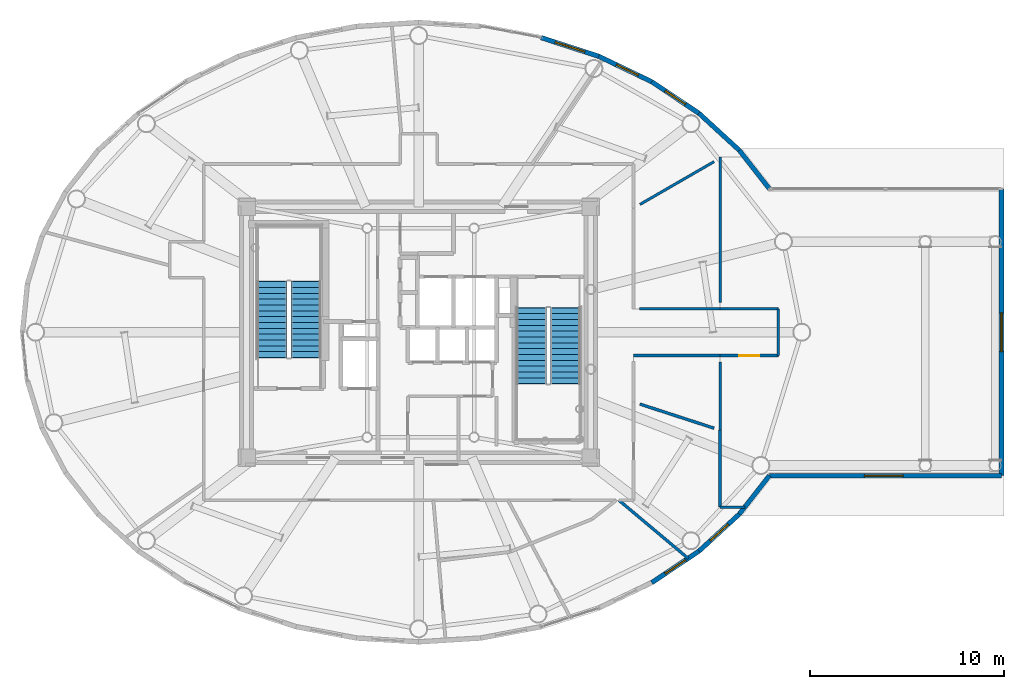
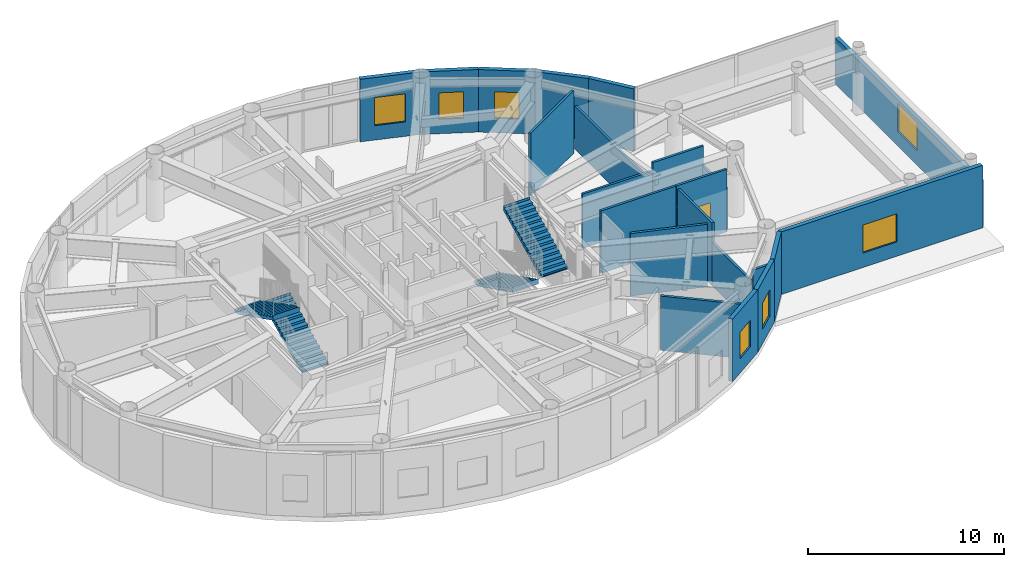
# One storey, part 19 of 26: 22 walls, 7 windows, 4 stair flights, 1 door, 8 openings, 2 elements without a shape of their own.
"""IFC4 building model written with IfcOpenShell, lengths in metres."""

from ifc_helpers import new_model, si_unit, direction, frame, frame_2d, origin, origin_2d, place, context, subcontext, project, spatial, polyline, rectangle, outline, extrude, source, transform, mapped, material, layer, layer_set, type_object, element, fill, aggregate, save


model = new_model("IFC4")

# Units and contexts
model_context = context("Model", 3, precision=1e-05, world=origin(), true_north=direction((0.0, 1.0)))
body_context = subcontext(model_context, "Body", "Model", "MODEL_VIEW")
ifc_project = project(units=[si_unit("LENGTHUNIT", "METRE"), si_unit("AREAUNIT", "SQUARE_METRE"), si_unit("VOLUMEUNIT", "CUBIC_METRE"), si_unit("PLANEANGLEUNIT", "RADIAN"), si_unit("MASSUNIT", "GRAM", prefix="KILO")], contexts=[model_context])

# Site, building, storey
site_placement = place(None, origin())
site = spatial("IfcSite", under=ifc_project, at=site_placement, CompositionType="ELEMENT")
building_placement = place(site_placement, origin())
building = spatial("IfcBuilding", under=site, at=building_placement, Name="Linh Dai School and Residence Tower", CompositionType="ELEMENT")
storey_placement = place(building_placement, frame((0.0, 0.0, 346.800048828125)))
storey = spatial("IfcBuildingStorey", under=building, at=storey_placement, Name="L86", CompositionType="ELEMENT", Elevation=346.800048828125)

# Wall, opening, window
ifc_material_1 = material(Name="Precast Concrete B45 (C35/45)", Category="concrete")
ifc_layer_1 = layer(ifc_material_1, 0.239990234375)
ifc_layer_set_1 = layer_set([ifc_layer_1], Name="Precast Concrete B45 (C35/45)")
wall_type_1 = type_object("IfcWallType", Name="EW-TC-240", PredefinedType="SOLIDWALL", material=ifc_layer_set_1)
wall_1_placement = place(storey_placement, frame((65.97509765625, 19.625, 0.0), z_axis=(0.0, 0.0, 1.0), x_axis=(-1.0, 0.0, 0.0)))
wall_1 = element("IfcWall", 1, at=wall_1_placement, inside=storey, type_object=wall_type_1, Name="L86 Terracotta Exterior Wall 01", PredefinedType="SOLIDWALL", context=body_context, shape_type="SweptSolid", body=[
    extrude(rectangle(XDim=11.93505859375, YDim=0.239990234375, at=frame_2d((5.967529296875, 0.0))), origin(), (0.0, 0.0, 1.0), 3.89990234375),
])
opening_1_placement = place(wall_1_placement, frame((5.06005859375, 0.0, 0.89990234375)))
opening_1 = element("IfcOpeningElement", 2, at=opening_1_placement, cuts=wall_1, Name="Opening W1", PredefinedType="OPENING", context=body_context, shape_type="SweptSolid", body=[
    extrude(rectangle(XDim=2.0, YDim=1.75, at=origin_2d()), frame((1.0, 0.1298828125, 0.875), z_axis=(0.0, -1.0, 0.0), x_axis=(1.0, 0.0, 0.0)), (0.0, 0.0, 1.0), 0.260009765625),
])
ifc_material_2 = material(Name="Double Low-E Insulated Glazing", Category="glass")
window_type_1 = type_object("IfcWindowType", Name="WN-RES-2000x1750", PartitioningType="DOUBLE_PANEL_VERTICAL", PredefinedType="WINDOW", material=ifc_material_2)
shared_shape_1 = source(origin(), body_context, "Body", "SweptSolid", [
    extrude(rectangle(XDim=2.0, YDim=1.75, at=origin_2d()), frame((1.0, 0.030029296875, 0.875), z_axis=(0.0, -1.0, 0.0), x_axis=(1.0, 0.0, 0.0)), (0.0, 0.0, 1.0), 0.06005859375),
])
window_1_placement = place(opening_1_placement, origin())
window_1 = element("IfcWindow", 3, at=window_1_placement, inside=storey, type_object=window_type_1, Name="L86 Exterior Window 01.1", OverallHeight=1.75, OverallWidth=2.0, PartitioningType="DOUBLE_PANEL_VERTICAL", PredefinedType="WINDOW", context=body_context, shape_type="MappedRepresentation", body=[
    mapped(shared_shape_1, transform((0.0, 0.0, 0.0), x_axis=(1.0, 0.0, 0.0), y_axis=(0.0, 1.0, 0.0), z_axis=(0.0, 0.0, 1.0), scale=1.0)),
])
fill(opening_1, window_1)

wall_2_placement = place(storey_placement, frame((65.97509765625, 34.375, 0.0), z_axis=(0.0, 0.0, 1.0), x_axis=(0.0, -1.0, 0.0)))
wall_2 = element("IfcWall", 4, at=wall_2_placement, inside=storey, type_object=wall_type_1, Name="L86 Terracotta Exterior Wall 02", PredefinedType="SOLIDWALL", context=body_context, shape_type="SweptSolid", body=[
    extrude(rectangle(XDim=14.75, YDim=0.239990234375, at=frame_2d((7.375, 0.0))), origin(), (0.0, 0.0, 1.0), 2.885009765625),
])
opening_2_placement = place(wall_2_placement, frame((6.375, 0.0, 0.89990234375)))
opening_2 = element("IfcOpeningElement", 5, at=opening_2_placement, cuts=wall_2, Name="Opening W1", PredefinedType="OPENING", context=body_context, shape_type="SweptSolid", body=[
    extrude(rectangle(XDim=2.0, YDim=1.75, at=origin_2d()), frame((1.0, 0.1298828125, 0.875), z_axis=(0.0, -1.0, 0.0), x_axis=(1.0, 0.0, 0.0)), (0.0, 0.0, 1.0), 0.260009765625),
])
window_2_placement = place(opening_2_placement, origin())
window_2 = element("IfcWindow", 6, at=window_2_placement, inside=storey, type_object=window_type_1, Name="L86 Exterior Window 02.1", OverallHeight=1.75, OverallWidth=2.0, PartitioningType="DOUBLE_PANEL_VERTICAL", PredefinedType="WINDOW", context=body_context, shape_type="MappedRepresentation", body=[
    mapped(shared_shape_1, transform((0.0, 0.0, 0.0), x_axis=(1.0, 0.0, 0.0), y_axis=(0.0, 1.0, 0.0), z_axis=(0.0, 0.0, 1.0), scale=1.0)),
])
fill(opening_2, window_2)

# Walls
wall_3_placement = place(storey_placement, frame((52.4931640625, 36.351806640625, 0.0), z_axis=(0.0, 0.0, 1.0), x_axis=(0.616261054153, -0.78754194373, 0.0)))
element("IfcWall", 7, at=wall_3_placement, inside=storey, type_object=wall_type_1, Name="L86 Terracotta Exterior Wall 04", PredefinedType="SOLIDWALL", context=body_context, shape_type="SweptSolid", body=[
    extrude(rectangle(XDim=2.510009765625, YDim=0.239990234375, at=frame_2d((1.2548828125, 0.0))), origin(), (0.0, 0.0, 1.0), 3.89990234375),
])
wall_4_placement = place(storey_placement, frame((50.418701171875, 38.254150390625, 0.0), z_axis=(0.0, 0.0, 1.0), x_axis=(0.737020907932, -0.675869944051, 0.0)))
element("IfcWall", 8, at=wall_4_placement, inside=storey, type_object=wall_type_1, Name="L86 Terracotta Exterior Wall 05", PredefinedType="SOLIDWALL", context=body_context, shape_type="SweptSolid", body=[
    extrude(rectangle(XDim=2.814697265625, YDim=0.239990234375, at=frame_2d((1.4072265625, 0.0))), origin(), (0.0, 0.0, 1.0), 3.89990234375),
])

# Wall, opening, window
wall_5_placement = place(storey_placement, frame((47.98779296875, 39.880126953125, 0.0), z_axis=(0.0, 0.0, 1.0), x_axis=(0.831201688654, -0.555970999944, 0.0)))
wall_5 = element("IfcWall", 9, at=wall_5_placement, inside=storey, type_object=wall_type_1, Name="L86 Terracotta Exterior Wall 06", PredefinedType="SOLIDWALL", context=body_context, shape_type="SweptSolid", body=[
    extrude(rectangle(XDim=2.924560546875, YDim=0.239990234375, at=frame_2d((1.46240234375, 0.0))), origin(), (0.0, 0.0, 1.0), 3.89990234375),
])
opening_3_placement = place(wall_5_placement, frame((0.837158203125, 0.0, 0.89990234375)))
opening_3 = element("IfcOpeningElement", 10, at=opening_3_placement, cuts=wall_5, Name="Opening W3", PredefinedType="OPENING", context=body_context, shape_type="SweptSolid", body=[
    extrude(rectangle(XDim=1.25, YDim=1.64990234375, at=origin_2d()), frame((0.625, 0.1298828125, 0.824951171875), z_axis=(0.0, -1.0, 0.0), x_axis=(1.0, 0.0, 0.0)), (0.0, 0.0, 1.0), 0.260009765625),
])
window_type_2 = type_object("IfcWindowType", Name="WN-RES-1250x1650", PartitioningType="SINGLE_PANEL", PredefinedType="WINDOW", material=ifc_material_2)
shared_shape_2 = source(origin(), body_context, "Body", "SweptSolid", [
    extrude(rectangle(XDim=1.25, YDim=1.64990234375, at=origin_2d()), frame((0.625, 0.030029296875, 0.824951171875), z_axis=(0.0, -1.0, 0.0), x_axis=(1.0, 0.0, 0.0)), (0.0, 0.0, 1.0), 0.06005859375),
])
window_3_placement = place(opening_3_placement, origin())
window_3 = element("IfcWindow", 11, at=window_3_placement, inside=storey, type_object=window_type_2, Name="L86 Exterior Window 06.1", OverallHeight=1.64990234375, OverallWidth=1.25, PartitioningType="SINGLE_PANEL", PredefinedType="WINDOW", context=body_context, shape_type="MappedRepresentation", body=[
    mapped(shared_shape_2, transform((0.0, 0.0, 0.0), x_axis=(1.0, 0.0, 0.0), y_axis=(0.0, 1.0, 0.0), z_axis=(0.0, 0.0, 1.0), scale=1.0)),
])
fill(opening_3, window_3)

wall_6_placement = place(storey_placement, frame((45.260498046875, 41.18896484375, 0.0), z_axis=(0.0, 0.0, 1.0), x_axis=(0.901557057889, -0.432660226241, 0.0)))
wall_6 = element("IfcWall", 12, at=wall_6_placement, inside=storey, type_object=wall_type_1, Name="L86 Terracotta Exterior Wall 07", PredefinedType="SOLIDWALL", context=body_context, shape_type="SweptSolid", body=[
    extrude(rectangle(XDim=3.025146484375, YDim=0.239990234375, at=frame_2d((1.5126953125, 0.0))), origin(), (0.0, 0.0, 1.0), 3.89990234375),
])
opening_4_placement = place(wall_6_placement, frame((1.00390625, 0.0, 0.89990234375)))
opening_4 = element("IfcOpeningElement", 13, at=opening_4_placement, cuts=wall_6, Name="Opening W3", PredefinedType="OPENING", context=body_context, shape_type="SweptSolid", body=[
    extrude(rectangle(XDim=1.25, YDim=1.64990234375, at=origin_2d()), frame((0.625, 0.1298828125, 0.824951171875), z_axis=(0.0, -1.0, 0.0), x_axis=(1.0, 0.0, 0.0)), (0.0, 0.0, 1.0), 0.260009765625),
])
window_4_placement = place(opening_4_placement, origin())
window_4 = element("IfcWindow", 14, at=window_4_placement, inside=storey, type_object=window_type_2, Name="L86 Exterior Window 07.1", OverallHeight=1.64990234375, OverallWidth=1.25, PartitioningType="SINGLE_PANEL", PredefinedType="WINDOW", context=body_context, shape_type="MappedRepresentation", body=[
    mapped(shared_shape_2, transform((0.0, 0.0, 0.0), x_axis=(1.0, 0.0, 0.0), y_axis=(0.0, 1.0, 0.0), z_axis=(0.0, 0.0, 1.0), scale=1.0)),
])
fill(opening_4, window_4)

wall_7_placement = place(storey_placement, frame((42.303955078125, 42.14794921875, 0.0), z_axis=(0.0, 0.0, 1.0), x_axis=(0.951212850731, -0.308535431682, 0.0)))
wall_7 = element("IfcWall", 15, at=wall_7_placement, inside=storey, type_object=wall_type_1, Name="L86 Terracotta Exterior Wall 08", PredefinedType="SOLIDWALL", context=body_context, shape_type="SweptSolid", body=[
    extrude(rectangle(XDim=3.108154296875, YDim=0.239990234375, at=frame_2d((1.55419921875, 0.0))), origin(), (0.0, 0.0, 1.0), 3.89990234375),
])
opening_5_placement = place(wall_7_placement, frame((0.75390625, 0.0, 0.89990234375)))
opening_5 = element("IfcOpeningElement", 16, at=opening_5_placement, cuts=wall_7, Name="Opening W2", PredefinedType="OPENING", context=body_context, shape_type="SweptSolid", body=[
    extrude(rectangle(XDim=1.60009765625, YDim=1.75, at=origin_2d()), frame((0.800048828125, 0.1298828125, 0.875), z_axis=(0.0, -1.0, 0.0), x_axis=(1.0, 0.0, 0.0)), (0.0, 0.0, 1.0), 0.260009765625),
])
window_type_3 = type_object("IfcWindowType", Name="WN-RES-1600x1750", PartitioningType="DOUBLE_PANEL_VERTICAL", PredefinedType="WINDOW", material=ifc_material_2)
shared_shape_3 = source(origin(), body_context, "Body", "SweptSolid", [
    extrude(rectangle(XDim=1.60009765625, YDim=1.75, at=origin_2d()), frame((0.800048828125, 0.030029296875, 0.875), z_axis=(0.0, -1.0, 0.0), x_axis=(1.0, 0.0, 0.0)), (0.0, 0.0, 1.0), 0.06005859375),
])
window_5_placement = place(opening_5_placement, origin())
window_5 = element("IfcWindow", 17, at=window_5_placement, inside=storey, type_object=window_type_3, Name="L86 Exterior Window 08.1", OverallHeight=1.75, OverallWidth=1.60009765625, PartitioningType="DOUBLE_PANEL_VERTICAL", PredefinedType="WINDOW", context=body_context, shape_type="MappedRepresentation", body=[
    mapped(shared_shape_3, transform((0.0, 0.0, 0.0), x_axis=(1.0, 0.0, 0.0), y_axis=(0.0, 1.0, 0.0), z_axis=(0.0, 0.0, 1.0), scale=1.0)),
])
fill(opening_5, window_5)

wall_8_placement = place(storey_placement, frame((50.418701171875, 15.745849609375, 0.0), z_axis=(0.0, 0.0, 1.0), x_axis=(-0.831201688654, -0.555970999944, 0.0)))
wall_8 = element("IfcWall", 18, at=wall_8_placement, inside=storey, type_object=wall_type_1, Name="L86 Terracotta Exterior Wall 35", PredefinedType="SOLIDWALL", context=body_context, shape_type="SweptSolid", body=[
    extrude(rectangle(XDim=2.924560546875, YDim=0.239990234375, at=frame_2d((1.46240234375, 0.0))), origin(), (0.0, 0.0, 1.0), 3.89990234375),
])
opening_6_placement = place(wall_8_placement, frame((0.83740234375, 0.0, 0.89990234375)))
opening_6 = element("IfcOpeningElement", 19, at=opening_6_placement, cuts=wall_8, Name="Opening W3", PredefinedType="OPENING", context=body_context, shape_type="SweptSolid", body=[
    extrude(rectangle(XDim=1.25, YDim=1.64990234375, at=origin_2d()), frame((0.625, 0.1298828125, 0.824951171875), z_axis=(0.0, -1.0, 0.0), x_axis=(1.0, 0.0, 0.0)), (0.0, 0.0, 1.0), 0.260009765625),
])
window_6_placement = place(opening_6_placement, origin())
window_6 = element("IfcWindow", 20, at=window_6_placement, inside=storey, type_object=window_type_2, Name="L86 Exterior Window 35.1", OverallHeight=1.64990234375, OverallWidth=1.25, PartitioningType="SINGLE_PANEL", PredefinedType="WINDOW", context=body_context, shape_type="MappedRepresentation", body=[
    mapped(shared_shape_2, transform((0.0, 0.0, 0.0), x_axis=(1.0, 0.0, 0.0), y_axis=(0.0, 1.0, 0.0), z_axis=(0.0, 0.0, 1.0), scale=1.0)),
])
fill(opening_6, window_6)

wall_9_placement = place(storey_placement, frame((52.4931640625, 17.648193359375, 0.0), z_axis=(0.0, 0.0, 1.0), x_axis=(-0.737020907932, -0.675869944051, 0.0)))
wall_9 = element("IfcWall", 21, at=wall_9_placement, inside=storey, type_object=wall_type_1, Name="L86 Terracotta Exterior Wall 36", PredefinedType="SOLIDWALL", context=body_context, shape_type="SweptSolid", body=[
    extrude(rectangle(XDim=2.814697265625, YDim=0.239990234375, at=frame_2d((1.4072265625, 0.0))), origin(), (0.0, 0.0, 1.0), 3.89990234375),
])
opening_7_placement = place(wall_9_placement, frame((0.78271484375, 0.0, 0.89990234375)))
opening_7 = element("IfcOpeningElement", 22, at=opening_7_placement, cuts=wall_9, Name="Opening W3", PredefinedType="OPENING", context=body_context, shape_type="SweptSolid", body=[
    extrude(rectangle(XDim=1.25, YDim=1.64990234375, at=origin_2d()), frame((0.625, 0.1298828125, 0.824951171875), z_axis=(0.0, -1.0, 0.0), x_axis=(1.0, 0.0, 0.0)), (0.0, 0.0, 1.0), 0.260009765625),
])
window_7_placement = place(opening_7_placement, origin())
window_7 = element("IfcWindow", 23, at=window_7_placement, inside=storey, type_object=window_type_2, Name="L86 Exterior Window 36.1", OverallHeight=1.64990234375, OverallWidth=1.25, PartitioningType="SINGLE_PANEL", PredefinedType="WINDOW", context=body_context, shape_type="MappedRepresentation", body=[
    mapped(shared_shape_2, transform((0.0, 0.0, 0.0), x_axis=(1.0, 0.0, 0.0), y_axis=(0.0, 1.0, 0.0), z_axis=(0.0, 0.0, 1.0), scale=1.0)),
])
fill(opening_7, window_7)

# Wall
wall_10_placement = place(storey_placement, frame((54.0400390625, 19.625, 0.0), z_axis=(0.0, 0.0, 1.0), x_axis=(-0.616261054153, -0.78754194373, 0.0)))
element("IfcWall", 24, at=wall_10_placement, inside=storey, type_object=wall_type_1, Name="L86 Terracotta Exterior Wall 37", PredefinedType="SOLIDWALL", context=body_context, shape_type="SweptSolid", body=[
    extrude(rectangle(XDim=2.510009765625, YDim=0.239990234375, at=frame_2d((1.2548828125, 0.0))), origin(), (0.0, 0.0, 1.0), 3.89990234375),
])

# Wall, opening, door
ifc_material_3 = material(Name="Autoclaved Aerated Concrete Blockwork", Category="masonry")
ifc_layer_2 = layer(ifc_material_3, 0.135009765625)
ifc_layer_set_2 = layer_set([ifc_layer_2], Name="Autoclaved Aerated Concrete Blockwork")
wall_type_2 = type_object("IfcWallType", Name="IW-CORR-135-EI90", PredefinedType="PARTITIONING", material=ifc_layer_set_2)
wall_11_placement = place(storey_placement, frame((51.5, 25.800048828125, 0.0), z_axis=(0.0, 0.0, 1.0), x_axis=(1.0, 0.0, 0.0)))
wall_11 = element("IfcWall", 25, at=wall_11_placement, inside=storey, type_object=wall_type_2, Name="L86 Interior Partition Wall 058", PredefinedType="PARTITIONING", context=body_context, shape_type="SweptSolid", body=[
    extrude(rectangle(XDim=3.0, YDim=0.135009765625, at=frame_2d((1.5, 0.0))), origin(), (0.0, 0.0, 1.0), 3.89990234375),
])
opening_8_placement = place(wall_11_placement, frame((0.97509765625, 0.0, 0.0)))
opening_8 = element("IfcOpeningElement", 26, at=opening_8_placement, cuts=wall_11, Name="Opening D04", PredefinedType="OPENING", context=body_context, shape_type="SweptSolid", body=[
    extrude(rectangle(XDim=1.050048828125, YDim=2.14990234375, at=origin_2d()), frame((0.52490234375, 0.07763671875, 1.074951171875), z_axis=(0.0, -1.0, 0.0), x_axis=(1.0, 0.0, 0.0)), (0.0, 0.0, 1.0), 0.155029296875),
])
ifc_material_4 = material(Name="Acoustic Vision-Panel Timber Classroom Door", Category="wood")
door_type = type_object("IfcDoorType", Name="DR-SCH-1050x2150-FD60S", OperationType="NOTDEFINED", PredefinedType="DOOR", material=ifc_material_4)
shared_shape_4 = source(origin(), body_context, "Body", "SweptSolid", [
    extrude(rectangle(XDim=1.050048828125, YDim=2.14990234375, at=origin_2d()), frame((0.52490234375, 0.02490234375, 1.074951171875), z_axis=(0.0, -1.0, 0.0), x_axis=(1.0, 0.0, 0.0)), (0.0, 0.0, 1.0), 0.050048828125),
])
door_placement = place(opening_8_placement, origin())
door = element("IfcDoor", 27, at=door_placement, inside=storey, type_object=door_type, Name="L86 Cantilevered Horizon Sky Dining Hall Door", OperationType="SINGLE_SWING_LEFT", OverallHeight=2.14990234375, OverallWidth=1.050048828125, PredefinedType="DOOR", context=body_context, shape_type="MappedRepresentation", body=[
    mapped(shared_shape_4, transform((0.0, 0.0, 0.0), x_axis=(1.0, 0.0, 0.0), y_axis=(0.0, 1.0, 0.0), z_axis=(0.0, 0.0, 1.0), scale=1.0)),
])
fill(opening_8, door)

# Walls
wall_12_placement = place(storey_placement, frame((51.5, 28.199951171875, 0.0), z_axis=(0.0, 0.0, 1.0), x_axis=(1.0, 0.0, 0.0)))
element("IfcWall", 28, at=wall_12_placement, inside=storey, type_object=wall_type_2, Name="L86 Interior Partition Wall 059", PredefinedType="PARTITIONING", context=body_context, shape_type="SweptSolid", body=[
    extrude(rectangle(XDim=3.0, YDim=0.135009765625, at=frame_2d((1.5, 0.0))), origin(), (0.0, 0.0, 1.0), 3.89990234375),
])
wall_13_placement = place(storey_placement, frame((54.5, 25.800048828125, 0.0), z_axis=(0.0, 0.0, 1.0), x_axis=(0.0, 1.0, 0.0)))
element("IfcWall", 29, at=wall_13_placement, inside=storey, type_object=wall_type_2, Name="L86 Interior Partition Wall 060", PredefinedType="PARTITIONING", context=body_context, shape_type="SweptSolid", body=[
    extrude(rectangle(XDim=2.39990234375, YDim=0.135009765625, at=frame_2d((1.199951171875, 0.0))), origin(), (0.0, 0.0, 1.0), 2.68505859375),
])
wall_14_placement = place(storey_placement, frame((47.357421875, 28.199951171875, 0.0), z_axis=(0.0, 0.0, 1.0), x_axis=(1.0, 0.0, 0.0)))
element("IfcWall", 30, at=wall_14_placement, inside=storey, type_object=wall_type_2, Name="L86 Interior Partition Wall 064", PredefinedType="PARTITIONING", context=body_context, shape_type="SweptSolid", body=[
    extrude(rectangle(XDim=4.132568359375, YDim=0.135009765625, at=frame_2d((2.06640625, 0.0))), origin(), (0.0, 0.0, 1.0), 3.385009765625),
])
wall_15_placement = place(storey_placement, frame((51.489990234375, 25.800048828125, 0.0), z_axis=(0.0, 0.0, 1.0), x_axis=(-1.0, 0.0, 0.0)))
element("IfcWall", 31, at=wall_15_placement, inside=storey, type_object=wall_type_2, Name="L86 Interior Partition Wall 065", PredefinedType="PARTITIONING", context=body_context, shape_type="SweptSolid", body=[
    extrude(rectangle(XDim=4.43994140625, YDim=0.135009765625, at=frame_2d((2.219970703125, 0.0))), origin(), (0.0, 0.0, 1.0), 3.89990234375),
])
wall_16_placement = place(storey_placement, frame((51.5, 21.9736328125, 0.0), z_axis=(0.0, 0.0, 1.0), x_axis=(0.0, 1.0, 0.0)))
element("IfcWall", 32, at=wall_16_placement, inside=storey, type_object=wall_type_2, Name="L86 Interior Partition Wall 075", PredefinedType="PARTITIONING", context=body_context, shape_type="SweptSolid", body=[
    extrude(rectangle(XDim=3.498779296875, YDim=0.135009765625, at=frame_2d((1.74951171875, 0.0))), origin(), (0.0, 0.0, 1.0), 3.89990234375),
])
wall_17_placement = place(storey_placement, frame((51.5, 28.527587890625, 0.0), z_axis=(0.0, 0.0, 1.0), x_axis=(0.0, 1.0, 0.0)))
element("IfcWall", 33, at=wall_17_placement, inside=storey, type_object=wall_type_2, Name="L86 Interior Partition Wall 076", PredefinedType="PARTITIONING", context=body_context, shape_type="SweptSolid", body=[
    extrude(rectangle(XDim=7.472412109375, YDim=0.135009765625, at=frame_2d((3.736328125, 0.0))), origin(), (0.0, 0.0, 1.0), 2.68505859375),
])
wall_18_placement = place(storey_placement, frame((51.1923828125, 35.771484375, 0.0), z_axis=(0.0, 0.0, 1.0), x_axis=(-0.866017611601, -0.500013496215, 0.0)))
element("IfcWall", 34, at=wall_18_placement, inside=storey, type_object=wall_type_2, Name="L86 Interior Partition Wall 077", PredefinedType="PARTITIONING", context=body_context, shape_type="SweptSolid", body=[
    extrude(rectangle(XDim=4.4052734375, YDim=0.135009765625, at=frame_2d((2.20263671875, 0.0))), origin(), (0.0, 0.0, 1.0), 3.89990234375),
])
ifc_layer_3 = layer(ifc_material_3, 0.14990234375)
ifc_layer_set_3 = layer_set([ifc_layer_3], Name="Autoclaved Aerated Concrete Blockwork")
wall_type_3 = type_object("IfcWallType", Name="IW-SCH-150-EI60", PredefinedType="PARTITIONING", material=ifc_layer_set_3)
wall_19_placement = place(storey_placement, frame((46.30859375, 18.35009765625, 0.0), z_axis=(0.0, 0.0, 1.0), x_axis=(0.766038569651, -0.642794609348, 0.0)))
element("IfcWall", 35, at=wall_19_placement, inside=storey, type_object=wall_type_3, Name="L86 Interior Partition Wall 053", PredefinedType="PARTITIONING", context=body_context, shape_type="SweptSolid", body=[
    extrude(rectangle(XDim=4.639404296875, YDim=0.14990234375, at=frame_2d((2.31982421875, 0.0))), origin(), (0.0, 0.0, 1.0), 3.385009765625),
])
wall_20_placement = place(storey_placement, frame((51.5, 18.0, 0.0), z_axis=(0.0, 0.0, 1.0), x_axis=(0.0, 1.0, 0.0)))
element("IfcWall", 36, at=wall_20_placement, inside=storey, type_object=wall_type_3, Name="L86 Interior Partition Wall 056", PredefinedType="PARTITIONING", context=body_context, shape_type="SweptSolid", body=[
    extrude(rectangle(XDim=3.963623046875, YDim=0.14990234375, at=frame_2d((1.98193359375, 0.0))), origin(), (0.0, 0.0, 1.0), 2.68505859375),
])
wall_21_placement = place(storey_placement, frame((51.5, 18.0, 0.0), z_axis=(0.0, 0.0, 1.0), x_axis=(1.0, 0.0, 0.0)))
element("IfcWall", 37, at=wall_21_placement, inside=storey, type_object=wall_type_3, Name="L86 Interior Partition Wall 057", PredefinedType="PARTITIONING", context=body_context, shape_type="SweptSolid", body=[
    extrude(rectangle(XDim=1.27490234375, YDim=0.14990234375, at=frame_2d((0.637451171875, 0.0))), origin(), (0.0, 0.0, 1.0), 3.385009765625),
])
wall_22_placement = place(storey_placement, frame((47.37744140625, 23.30322265625, 0.0), z_axis=(0.0, 0.0, 1.0), x_axis=(0.951060007391, -0.309006249681, 0.0)))
element("IfcWall", 38, at=wall_22_placement, inside=storey, type_object=wall_type_3, Name="L86 Interior Partition Wall 078", PredefinedType="PARTITIONING", context=body_context, shape_type="SweptSolid", body=[
    extrude(rectangle(XDim=4.01123046875, YDim=0.14990234375, at=frame_2d((2.005615234375, 0.0))), origin(), (0.0, 0.0, 1.0), 3.89990234375),
])

# Stair, stair flights
ifc_material_5 = material(Name="Concrete B45 (C35/45)", Category="concrete")
stair_type = type_object("IfcStairType", Name="ST-DOG-1550-R1500", PredefinedType="HALF_TURN_STAIR", material=ifc_material_5)
stair_1_placement = place(storey_placement, origin())
stair_1 = element("IfcStair", 39, at=stair_1_placement, inside=storey, type_object=stair_type, Name="L86 Core Smokeproof Exit Stair ST1", PredefinedType="HALF_TURN_STAIR")
stair_flight_type = type_object("IfcStairFlightType", Name="STF-STR-1550-R1500", PredefinedType="STRAIGHT", material=ifc_material_5)
shared_shape_5 = source(origin(), body_context, "Body", "SweptSolid", [
    extrude(outline(polyline([(-0.02490234375, 0.0), (-0.02490234375, 0.06005859375), (0.0, 0.06005859375), (0.0, 0.14990234375), (0.300048828125, 0.14990234375), (0.300048828125, 0.300048828125), (0.60009765625, 0.300048828125), (0.60009765625, 0.449951171875), (0.89990234375, 0.449951171875), (0.89990234375, 0.60009765625), (1.199951171875, 0.60009765625), (1.199951171875, 0.75), (1.5, 0.75), (1.5, 0.89990234375), (1.800048828125, 0.89990234375), (1.800048828125, 1.050048828125), (2.10009765625, 1.050048828125), (2.10009765625, 1.199951171875), (2.39990234375, 1.199951171875), (2.39990234375, 1.35009765625), (2.699951171875, 1.35009765625), (2.699951171875, 1.5), (3.0, 1.5), (3.0, 1.64990234375), (3.300048828125, 1.64990234375), (3.300048828125, 1.800048828125), (3.60009765625, 1.800048828125), (3.60009765625, 1.949951171875), (3.89990234375, 1.949951171875), (3.89990234375, 2.10009765625), (3.925048828125, 2.10009765625), (3.925048828125, 1.782470703125), (3.89990234375, 1.782470703125), (0.335205078125, 0.0), (-0.02490234375, 0.0)])), frame((0.0, 0.77490234375, 0.0), z_axis=(0.0, -1.0, 0.0), x_axis=(1.0, 0.0, 0.0)), (0.0, 0.0, 1.0), 1.550048828125),
])
stair_flight_1_placement = place(storey_placement, frame((30.205078125, 25.699951171875, 0.0), z_axis=(0.0, 0.0, 1.0), x_axis=(0.0, 1.0, 0.0)))
stair_flight_1 = element("IfcStairFlight", 40, at=stair_flight_1_placement, type_object=stair_flight_type, Name="ST1 flight 1", NumberOfRisers=14, NumberOfTreads=13, PredefinedType="STRAIGHT", RiserHeight=0.15, TreadLength=0.3, context=body_context, shape_type="MappedRepresentation", body=[
    mapped(shared_shape_5, transform((0.0, 0.0, 0.0), x_axis=(1.0, 0.0, 0.0), y_axis=(0.0, 1.0, 0.0), z_axis=(0.0, 0.0, 1.0), scale=1.0)),
])
stair_flight_2_placement = place(storey_placement, frame((28.455078125, 29.60009765625, 2.099853515625), z_axis=(0.0, 0.0, 1.0), x_axis=(0.0, -1.0, 0.0)))
stair_flight_2 = element("IfcStairFlight", 41, at=stair_flight_2_placement, type_object=stair_flight_type, Name="ST1 flight 2", NumberOfRisers=14, NumberOfTreads=13, PredefinedType="STRAIGHT", RiserHeight=0.15, TreadLength=0.3, context=body_context, shape_type="MappedRepresentation", body=[
    mapped(shared_shape_5, transform((0.0, 0.0, 0.0), x_axis=(1.0, 0.0, 0.0), y_axis=(0.0, 1.0, 0.0), z_axis=(0.0, 0.0, 1.0), scale=1.0)),
])
aggregate(stair_1, [stair_flight_1, stair_flight_2])

stair_2_placement = place(storey_placement, origin())
stair_2 = element("IfcStair", 42, at=stair_2_placement, inside=storey, type_object=stair_type, Name="L86 Core Smokeproof Exit Stair ST2", PredefinedType="HALF_TURN_STAIR")
stair_flight_3_placement = place(storey_placement, frame((41.794921875, 28.25, 0.0), z_axis=(0.0, 0.0, 1.0), x_axis=(0.0, -1.0, 0.0)))
stair_flight_3 = element("IfcStairFlight", 43, at=stair_flight_3_placement, type_object=stair_flight_type, Name="ST2 flight 1", NumberOfRisers=14, NumberOfTreads=13, PredefinedType="STRAIGHT", RiserHeight=0.15, TreadLength=0.3, context=body_context, shape_type="MappedRepresentation", body=[
    mapped(shared_shape_5, transform((0.0, 0.0, 0.0), x_axis=(1.0, 0.0, 0.0), y_axis=(0.0, 1.0, 0.0), z_axis=(0.0, 0.0, 1.0), scale=1.0)),
])
stair_flight_4_placement = place(storey_placement, frame((43.544921875, 24.35009765625, 2.099853515625), z_axis=(0.0, 0.0, 1.0), x_axis=(0.0, 1.0, 0.0)))
stair_flight_4 = element("IfcStairFlight", 44, at=stair_flight_4_placement, type_object=stair_flight_type, Name="ST2 flight 2", NumberOfRisers=14, NumberOfTreads=13, PredefinedType="STRAIGHT", RiserHeight=0.15, TreadLength=0.3, context=body_context, shape_type="MappedRepresentation", body=[
    mapped(shared_shape_5, transform((0.0, 0.0, 0.0), x_axis=(1.0, 0.0, 0.0), y_axis=(0.0, 1.0, 0.0), z_axis=(0.0, 0.0, 1.0), scale=1.0)),
])
aggregate(stair_2, [stair_flight_3, stair_flight_4])

save(model, "model.ifc")
